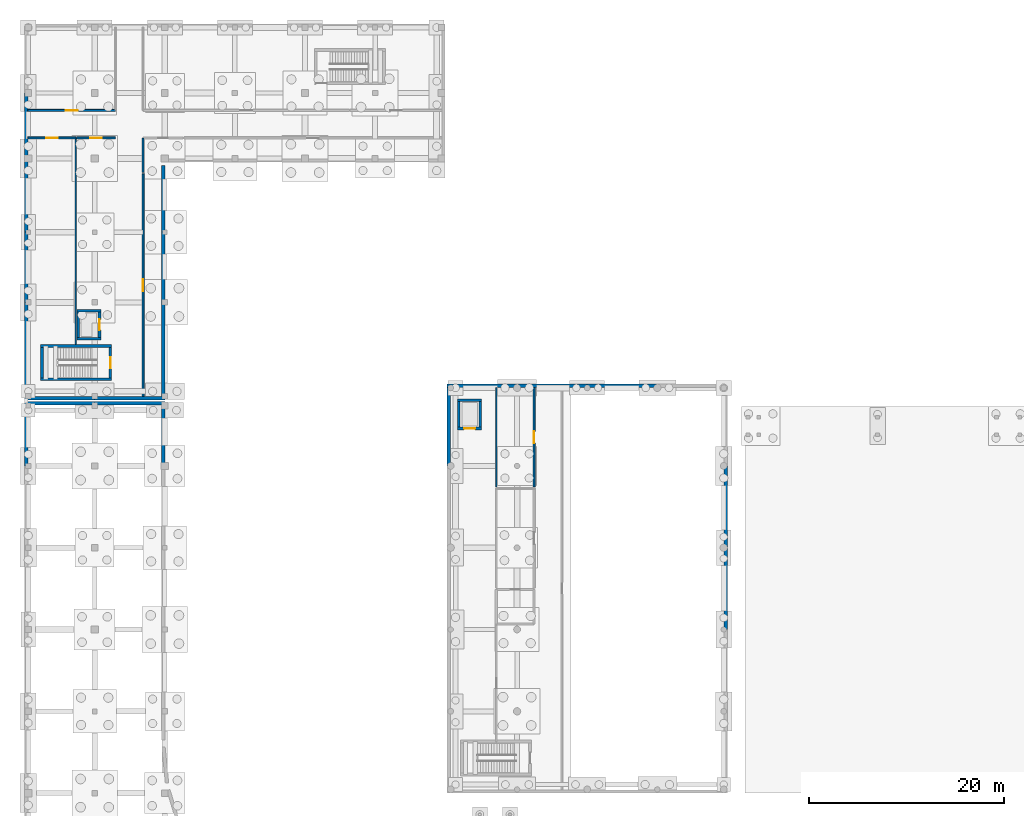
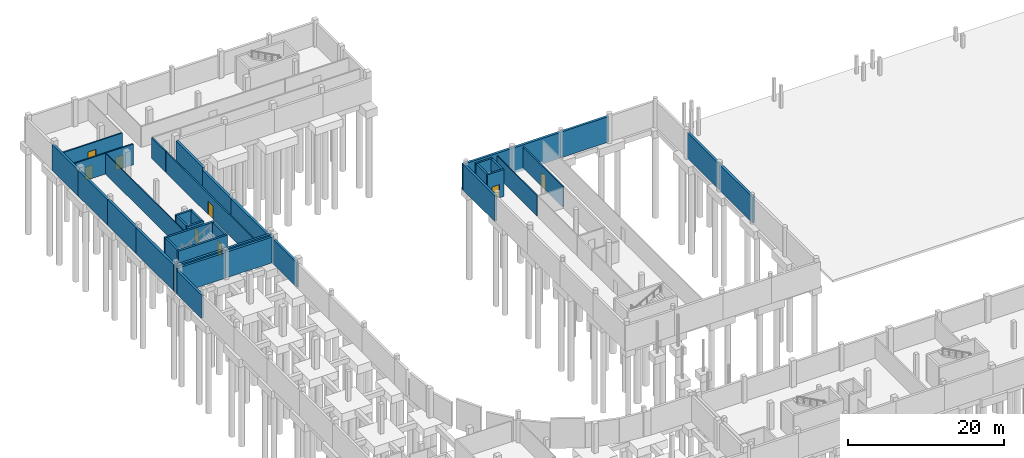
# One storey, part 28 of 41: 39 walls, 8 doors, 8 openings.
"""IFC4 building model written with IfcOpenShell, lengths in metres."""

from ifc_helpers import new_model, si_unit, direction, frame, frame_2d, origin, place, context, subcontext, project, spatial, rectangle, extrude, material, layer, layer_set, type_object, element, fill, save


model = new_model("IFC4")

# Units and contexts
model_context = context("Model", 3, precision=1e-05, world=origin(), true_north=direction((0.0, 1.0)))
body_context = subcontext(model_context, "Body", "Model", "MODEL_VIEW")
ifc_project = project(units=[si_unit("LENGTHUNIT", "METRE"), si_unit("AREAUNIT", "SQUARE_METRE"), si_unit("VOLUMEUNIT", "CUBIC_METRE"), si_unit("PLANEANGLEUNIT", "RADIAN"), si_unit("MASSUNIT", "GRAM", prefix="KILO")], contexts=[model_context])

# Site, building, storey
site_placement = place(None, origin())
site = spatial("IfcSite", under=ifc_project, at=site_placement, CompositionType="ELEMENT")
building_placement = place(site_placement, origin())
building = spatial("IfcBuilding", under=site, at=building_placement, Name="Vardoun Plaza Health Centre", CompositionType="ELEMENT")
storey_placement = place(building_placement, frame((0.0, 0.0, -4.5)))
storey = spatial("IfcBuildingStorey", under=building, at=storey_placement, Name="B1", CompositionType="ELEMENT", Elevation=-4.5)

# Walls
ifc_material_1 = material(Name="Concrete C40/50", Category="concrete")
ifc_layer_1 = layer(ifc_material_1, 0.27001953125)
ifc_layer_set_1 = layer_set([ifc_layer_1], Name="Concrete C40/50")
wall_type_1 = type_object("IfcWallType", Name="SW-03", PredefinedType="SHEAR", material=ifc_layer_set_1)
wall_1_placement = place(storey_placement, frame((12.3349609375, 82.949951171875, 0.0), z_axis=(0.0, 0.0, 1.0), x_axis=(-1.0, 0.0, 0.0)))
element("IfcWall", 1, at=wall_1_placement, inside=storey, type_object=wall_type_1, Name="Lift LP-01 B1 Shaft Wall S", PredefinedType="SHEAR", context=body_context, shape_type="SweptSolid", body=[
    extrude(rectangle(XDim=2.469970703125, YDim=0.27001953125, at=frame_2d((1.23486328125, 0.0))), origin(), (0.0, 0.0, 1.0), 4.235107421875),
])
wall_2_placement = place(storey_placement, frame((10.0, 83.0849609375, 0.0), z_axis=(0.0, 0.0, 1.0), x_axis=(0.0, 1.0, 0.0)))
element("IfcWall", 2, at=wall_2_placement, inside=storey, type_object=wall_type_1, Name="Lift LP-01 B1 Shaft Wall W", PredefinedType="SHEAR", context=body_context, shape_type="SweptSolid", body=[
    extrude(rectangle(XDim=2.630126953125, YDim=0.27001953125, at=frame_2d((1.31494140625, 0.0))), origin(), (0.0, 0.0, 1.0), 4.235107421875),
])
wall_3_placement = place(storey_placement, frame((9.864990234375, 85.85009765625, 0.0), z_axis=(0.0, 0.0, 1.0), x_axis=(1.0, 0.0, 0.0)))
element("IfcWall", 3, at=wall_3_placement, inside=storey, type_object=wall_type_1, Name="Lift LP-01 B1 Shaft Wall N", PredefinedType="SHEAR", context=body_context, shape_type="SweptSolid", body=[
    extrude(rectangle(XDim=2.469970703125, YDim=0.27001953125, at=frame_2d((1.23486328125, 0.0))), origin(), (0.0, 0.0, 1.0), 4.235107421875),
])

# Wall, opening, door
wall_4_placement = place(storey_placement, frame((12.199951171875, 85.715087890625, 0.0), z_axis=(0.0, 0.0, 1.0), x_axis=(0.0, -1.0, 0.0)))
wall_4 = element("IfcWall", 4, at=wall_4_placement, inside=storey, type_object=wall_type_1, Name="Lift LP-01 B1 Shaft Wall E", PredefinedType="SHEAR", context=body_context, shape_type="SweptSolid", body=[
    extrude(rectangle(XDim=2.630126953125, YDim=0.27001953125, at=frame_2d((1.31494140625, 0.0))), origin(), (0.0, 0.0, 1.0), 4.235107421875),
])
opening_1_placement = place(wall_4_placement, frame((0.7548828125, 0.0, 0.0)))
opening_1 = element("IfcOpeningElement", 5, at=opening_1_placement, cuts=wall_4, Name="Opening LD-LP-01-B1", PredefinedType="OPENING", context=body_context, shape_type="SweptSolid", body=[
    extrude(rectangle(XDim=1.1201171875, YDim=2.10009765625, at=frame_2d((0.56005859375, 1.050048828125))), frame((0.0, 0.135009765625, 0.0), z_axis=(0.0, -1.0, 0.0), x_axis=(1.0, 0.0, 0.0)), (0.0, 0.0, 1.0), 0.27001953125),
])
ifc_material_2 = material(Name="Brushed Stainless Steel Grade 316L", Category="steel")
door_type_1 = type_object("IfcDoorType", Name="LD-01", OperationType="DOUBLE_DOOR_SLIDING", PredefinedType="DOOR", material=ifc_material_2)
door_1_placement = place(opening_1_placement, origin())
door_1 = element("IfcDoor", 6, at=door_1_placement, inside=storey, type_object=door_type_1, Name="Lift LP-01 B1 Sliding Landing Door", OperationType="DOUBLE_DOOR_SLIDING", OverallHeight=2.10009765625, OverallWidth=1.1201171875, PredefinedType="DOOR", context=body_context, shape_type="SweptSolid", body=[
    extrude(rectangle(XDim=1.1201171875, YDim=2.10009765625, at=frame_2d((0.56005859375, 1.050048828125))), frame((0.0, 0.02490234375, 0.0), z_axis=(0.0, -1.0, 0.0), x_axis=(1.0, 0.0, 0.0)), (0.0, 0.0, 1.0), 0.050048828125),
])
fill(opening_1, door_1)

wall_5_placement = place(storey_placement, frame((51.43505859375, 73.75, 0.0), z_axis=(0.0, 0.0, 1.0), x_axis=(-1.0, 0.0, 0.0)))
wall_5 = element("IfcWall", 7, at=wall_5_placement, inside=storey, type_object=wall_type_1, Name="Lift LP-02 B1 Shaft Wall S", PredefinedType="SHEAR", context=body_context, shape_type="SweptSolid", body=[
    extrude(rectangle(XDim=2.469970703125, YDim=0.27001953125, at=frame_2d((1.23486328125, 0.0))), origin(), (0.0, 0.0, 1.0), 4.219970703125),
])
opening_2_placement = place(wall_5_placement, frame((0.675048828125, 0.0, 0.0)))
opening_2 = element("IfcOpeningElement", 8, at=opening_2_placement, cuts=wall_5, Name="Opening LD-LP-02-B1", PredefinedType="OPENING", context=body_context, shape_type="SweptSolid", body=[
    extrude(rectangle(XDim=1.1201171875, YDim=2.10009765625, at=frame_2d((0.56005859375, 1.050048828125))), frame((0.0, 0.135009765625, 0.0), z_axis=(0.0, -1.0, 0.0), x_axis=(1.0, 0.0, 0.0)), (0.0, 0.0, 1.0), 0.27001953125),
])
door_2_placement = place(opening_2_placement, origin())
door_2 = element("IfcDoor", 9, at=door_2_placement, inside=storey, type_object=door_type_1, Name="Lift LP-02 B1 Sliding Landing Door", OperationType="DOUBLE_DOOR_SLIDING", OverallHeight=2.10009765625, OverallWidth=1.1201171875, PredefinedType="DOOR", context=body_context, shape_type="SweptSolid", body=[
    extrude(rectangle(XDim=1.1201171875, YDim=2.10009765625, at=frame_2d((0.56005859375, 1.050048828125))), frame((0.0, 0.02490234375, 0.0), z_axis=(0.0, -1.0, 0.0), x_axis=(1.0, 0.0, 0.0)), (0.0, 0.0, 1.0), 0.050048828125),
])
fill(opening_2, door_2)

# Walls
wall_6_placement = place(storey_placement, frame((49.10009765625, 73.885009765625, 0.0), z_axis=(0.0, 0.0, 1.0), x_axis=(0.0, 1.0, 0.0)))
element("IfcWall", 10, at=wall_6_placement, inside=storey, type_object=wall_type_1, Name="Lift LP-02 B1 Shaft Wall W", PredefinedType="SHEAR", context=body_context, shape_type="SweptSolid", body=[
    extrude(rectangle(XDim=2.6298828125, YDim=0.27001953125, at=frame_2d((1.31494140625, 0.0))), origin(), (0.0, 0.0, 1.0), 4.219970703125),
])
wall_7_placement = place(storey_placement, frame((48.965087890625, 76.64990234375, 0.0), z_axis=(0.0, 0.0, 1.0), x_axis=(1.0, 0.0, 0.0)))
element("IfcWall", 11, at=wall_7_placement, inside=storey, type_object=wall_type_1, Name="Lift LP-02 B1 Shaft Wall N", PredefinedType="SHEAR", context=body_context, shape_type="SweptSolid", body=[
    extrude(rectangle(XDim=2.469970703125, YDim=0.27001953125, at=frame_2d((1.23486328125, 0.0))), origin(), (0.0, 0.0, 1.0), 4.219970703125),
])
wall_8_placement = place(storey_placement, frame((51.300048828125, 76.514892578125, 0.0), z_axis=(0.0, 0.0, 1.0), x_axis=(0.0, -1.0, 0.0)))
element("IfcWall", 12, at=wall_8_placement, inside=storey, type_object=wall_type_1, Name="Lift LP-02 B1 Shaft Wall E", PredefinedType="SHEAR", context=body_context, shape_type="SweptSolid", body=[
    extrude(rectangle(XDim=2.6298828125, YDim=0.27001953125, at=frame_2d((1.31494140625, 0.0))), origin(), (0.0, 0.0, 1.0), 4.219970703125),
])
ifc_material_3 = material(Name="Concrete C40/50", Category="concrete")
ifc_layer_2 = layer(ifc_material_3, 0.300048828125)
ifc_layer_set_2 = layer_set([ifc_layer_2], Name="Concrete C40/50")
wall_type_2 = type_object("IfcWallType", Name="SW-01", PredefinedType="SHEAR", material=ifc_layer_set_2)
wall_9_placement = place(storey_placement, frame((13.449951171875, 78.800048828125, 0.0), z_axis=(0.0, 0.0, 1.0), x_axis=(-1.0, 0.0, 0.0)))
element("IfcWall", 13, at=wall_9_placement, inside=storey, type_object=wall_type_2, Name="Core C3 B1 Shear Wall S", PredefinedType="SHEAR", context=body_context, shape_type="SweptSolid", body=[
    extrude(rectangle(XDim=7.300048828125, YDim=0.300048828125, at=frame_2d((3.64990234375, 0.0))), origin(), (0.0, 0.0, 1.0), 4.235107421875),
])
wall_10_placement = place(storey_placement, frame((6.300048828125, 78.949951171875, 0.0), z_axis=(0.0, 0.0, 1.0), x_axis=(0.0, 1.0, 0.0)))
element("IfcWall", 14, at=wall_10_placement, inside=storey, type_object=wall_type_2, Name="Core C3 B1 Shear Wall W", PredefinedType="SHEAR", context=body_context, shape_type="SweptSolid", body=[
    extrude(rectangle(XDim=3.10009765625, YDim=0.300048828125, at=frame_2d((1.550048828125, 0.0))), origin(), (0.0, 0.0, 1.0), 4.235107421875),
])
wall_11_placement = place(storey_placement, frame((6.14990234375, 82.199951171875, 0.0), z_axis=(0.0, 0.0, 1.0), x_axis=(1.0, 0.0, 0.0)))
element("IfcWall", 15, at=wall_11_placement, inside=storey, type_object=wall_type_2, Name="Core C3 B1 Shear Wall N", PredefinedType="SHEAR", context=body_context, shape_type="SweptSolid", body=[
    extrude(rectangle(XDim=7.300048828125, YDim=0.300048828125, at=frame_2d((3.64990234375, 0.0))), origin(), (0.0, 0.0, 1.0), 4.235107421875),
])

# Wall, opening, door
wall_12_placement = place(storey_placement, frame((13.300048828125, 82.050048828125, 0.0), z_axis=(0.0, 0.0, 1.0), x_axis=(0.0, -1.0, 0.0)))
wall_12 = element("IfcWall", 16, at=wall_12_placement, inside=storey, type_object=wall_type_2, Name="Core C3 B1 Shear Wall E", PredefinedType="SHEAR", context=body_context, shape_type="SweptSolid", body=[
    extrude(rectangle(XDim=3.10009765625, YDim=0.300048828125, at=frame_2d((1.550048828125, 0.0))), origin(), (0.0, 0.0, 1.0), 4.235107421875),
])
opening_3_placement = place(wall_12_placement, frame((1.0, 0.0, 0.0)))
opening_3 = element("IfcOpeningElement", 17, at=opening_3_placement, cuts=wall_12, Name="Opening SD-C3-B1", PredefinedType="OPENING", context=body_context, shape_type="SweptSolid", body=[
    extrude(rectangle(XDim=1.10009765625, YDim=2.050048828125, at=frame_2d((0.550048828125, 1.02490234375))), frame((0.0, 0.14990234375, 0.0), z_axis=(0.0, -1.0, 0.0), x_axis=(1.0, 0.0, 0.0)), (0.0, 0.0, 1.0), 0.300048828125),
])
ifc_material_4 = material(Name="Brushed Stainless Steel Grade 316L", Category="steel")
door_type_2 = type_object("IfcDoorType", Name="FD-01", OperationType="NOTDEFINED", PredefinedType="DOOR", material=ifc_material_4)
door_3_placement = place(opening_3_placement, origin())
door_3 = element("IfcDoor", 18, at=door_3_placement, inside=storey, type_object=door_type_2, Name="Stair C3 B1 Fire Door", OperationType="SINGLE_SWING_RIGHT", OverallHeight=2.050048828125, OverallWidth=1.10009765625, PredefinedType="DOOR", context=body_context, shape_type="SweptSolid", body=[
    extrude(rectangle(XDim=1.10009765625, YDim=2.050048828125, at=frame_2d((0.550048828125, 1.02490234375))), frame((0.0, 0.02490234375, 0.0), z_axis=(0.0, -1.0, 0.0), x_axis=(1.0, 0.0, 0.0)), (0.0, 0.0, 1.0), 0.050048828125),
])
fill(opening_3, door_3)

# Walls
ifc_material_5 = material(Name="Pale Limestone Concrete C35/45", Category="masonry")
ifc_layer_3 = layer(ifc_material_5, 0.344970703125)
ifc_layer_set_3 = layer_set([ifc_layer_3], Name="Pale Limestone Concrete C35/45")
wall_type_3 = type_object("IfcWallType", Name="EW-01", PredefinedType="SOLIDWALL", material=ifc_layer_set_3)
wall_13_placement = place(storey_placement, frame((47.8798828125, 78.12744140625, -0.419921875), z_axis=(0.0, 0.0, 1.0), x_axis=(1.0, 0.0, 0.0)))
element("IfcWall", 19, at=wall_13_placement, inside=storey, type_object=wall_type_3, Name="V1 B1 Exterior Wall EW-V1-001", PredefinedType="SOLIDWALL", context=body_context, shape_type="SweptSolid", body=[
    extrude(rectangle(XDim=7.2001953125, YDim=0.344970703125, at=frame_2d((3.60009765625, 0.0))), origin(), (0.0, 0.0, 1.0), 4.02490234375),
])
for number, where, z_axis, x_axis, name in (
    (20, (55.080078125, 78.12744140625, -0.419921875), (0.0, 0.0, 1.0), (1.0, 0.0, 0.0), "V1 B1 Exterior Wall EW-V1-002"),
    (21, (62.280029296875, 78.12744140625, -0.419921875), (0.0, 0.0, 1.0), (1.0, 0.0, 0.0), "V1 B1 Exterior Wall EW-V1-003"),
):
    element("IfcWall", number, at=place(storey_placement, frame(where, z_axis=z_axis, x_axis=x_axis)), inside=storey, type_object=wall_type_3, Name=name, PredefinedType="SOLIDWALL", context=body_context, shape_type="SweptSolid", body=[
        extrude(rectangle(XDim=7.199951171875, YDim=0.344970703125, at=frame_2d((3.60009765625, 0.0))), origin(), (0.0, 0.0, 1.0), 4.0048828125),
    ])
for number, where, z_axis, x_axis, name in (
    (22, (76.507568359375, 69.89990234375, -0.419921875), (0.0, 0.0, 1.0), (0.0, -1.0, 0.0), "V1 B1 Exterior Wall EW-V1-006"),
    (23, (76.507568359375, 61.5, -0.419921875), (0.0, 0.0, 1.0), (0.0, -1.0, 0.0), "V1 B1 Exterior Wall EW-V1-007"),
):
    element("IfcWall", number, at=place(storey_placement, frame(where, z_axis=z_axis, x_axis=x_axis)), inside=storey, type_object=wall_type_3, Name=name, PredefinedType="SOLIDWALL", context=body_context, shape_type="SweptSolid", body=[
        extrude(rectangle(XDim=8.39990234375, YDim=0.344970703125, at=frame_2d((4.199951171875, 0.0))), origin(), (0.0, 0.0, 1.0), 4.0048828125),
    ])
wall_14_placement = place(storey_placement, frame((48.052490234375, 69.89990234375, -0.419921875), z_axis=(0.0, 0.0, 1.0), x_axis=(0.0, 1.0, 0.0)))
element("IfcWall", 24, at=wall_14_placement, inside=storey, type_object=wall_type_3, Name="V1 B1 Exterior Wall EW-V1-018", PredefinedType="SOLIDWALL", context=body_context, shape_type="SweptSolid", body=[
    extrude(rectangle(XDim=8.05517578125, YDim=0.344970703125, at=frame_2d((4.027587890625, 0.0))), origin(), (0.0, 0.0, 1.0), 4.02490234375),
])
for number, where, z_axis, x_axis, name in (
    (25, (4.5, 76.327392578125, -0.419921875), (0.0, 0.0, 1.0), (1.0, 0.0, 0.0), "V2 B1 Exterior Wall EW-V2-039"),
    (26, (11.699951171875, 76.327392578125, -0.419921875), (0.0, 0.0, 1.0), (1.0, 0.0, 0.0), "V2 B1 Exterior Wall EW-V2-040"),
):
    element("IfcWall", number, at=place(storey_placement, frame(where, z_axis=z_axis, x_axis=x_axis)), inside=storey, type_object=wall_type_3, Name=name, PredefinedType="SOLIDWALL", context=body_context, shape_type="SweptSolid", body=[
        extrude(rectangle(XDim=7.199951171875, YDim=0.344970703125, at=frame_2d((3.60009765625, 0.0))), origin(), (0.0, 0.0, 1.0), 4.02490234375),
    ])
wall_15_placement = place(storey_placement, frame((18.7275390625, 76.155029296875, -0.419921875), z_axis=(0.0, 0.0, 1.0), x_axis=(0.0, -1.0, 0.0)))
element("IfcWall", 27, at=wall_15_placement, inside=storey, type_object=wall_type_3, Name="V2 B1 Exterior Wall EW-V2-041", PredefinedType="SOLIDWALL", context=body_context, shape_type="SweptSolid", body=[
    extrude(rectangle(XDim=6.255126953125, YDim=0.344970703125, at=frame_2d((3.12744140625, 0.0))), origin(), (0.0, 0.0, 1.0), 3.824951171875),
])
wall_16_placement = place(storey_placement, frame((4.672607421875, 69.89990234375, -0.419921875), z_axis=(0.0, 0.0, 1.0), x_axis=(0.0, 1.0, 0.0)))
element("IfcWall", 28, at=wall_16_placement, inside=storey, type_object=wall_type_3, Name="V2 B1 Exterior Wall EW-V2-071", PredefinedType="SOLIDWALL", context=body_context, shape_type="SweptSolid", body=[
    extrude(rectangle(XDim=6.255126953125, YDim=0.344970703125, at=frame_2d((3.12744140625, 0.0))), origin(), (0.0, 0.0, 1.0), 3.6748046875),
])
wall_17_placement = place(storey_placement, frame((18.7275390625, 100.7548828125, -0.419921875), z_axis=(0.0, 0.0, 1.0), x_axis=(0.0, -1.0, 0.0)))
element("IfcWall", 29, at=wall_17_placement, inside=storey, type_object=wall_type_3, Name="V3 B1 Exterior Wall EW-V3-234", PredefinedType="SOLIDWALL", context=body_context, shape_type="SweptSolid", body=[
    extrude(rectangle(XDim=6.85498046875, YDim=0.344970703125, at=frame_2d((3.427490234375, 0.0))), origin(), (0.0, 0.0, 1.0), 4.159912109375),
])
wall_18_placement = place(storey_placement, frame((18.7275390625, 93.89990234375, -0.419921875), z_axis=(0.0, 0.0, 1.0), x_axis=(0.0, -1.0, 0.0)))
element("IfcWall", 30, at=wall_18_placement, inside=storey, type_object=wall_type_3, Name="V3 B1 Exterior Wall EW-V3-235", PredefinedType="SOLIDWALL", context=body_context, shape_type="SweptSolid", body=[
    extrude(rectangle(XDim=7.199951171875, YDim=0.344970703125, at=frame_2d((3.60009765625, 0.0))), origin(), (0.0, 0.0, 1.0), 3.68994140625),
])
wall_19_placement = place(storey_placement, frame((18.7275390625, 86.699951171875, -0.419921875), z_axis=(0.0, 0.0, 1.0), x_axis=(0.0, -1.0, 0.0)))
element("IfcWall", 31, at=wall_19_placement, inside=storey, type_object=wall_type_3, Name="V3 B1 Exterior Wall EW-V3-236", PredefinedType="SOLIDWALL", context=body_context, shape_type="SweptSolid", body=[
    extrude(rectangle(XDim=9.675048828125, YDim=0.344970703125, at=frame_2d((4.83740234375, 0.0))), origin(), (0.0, 0.0, 1.0), 3.68994140625),
])
for number, where, z_axis, x_axis, name in (
    (32, (18.89990234375, 76.8525390625, -0.419921875), (0.0, 0.0, 1.0), (-1.0, 0.0, 0.0), "V3 B1 Exterior Wall EW-V3-237"),
    (33, (11.699951171875, 76.8525390625, -0.419921875), (0.0, 0.0, 1.0), (-1.0, 0.0, 0.0), "V3 B1 Exterior Wall EW-V3-238"),
):
    element("IfcWall", number, at=place(storey_placement, frame(where, z_axis=z_axis, x_axis=x_axis)), inside=storey, type_object=wall_type_3, Name=name, PredefinedType="SOLIDWALL", context=body_context, shape_type="SweptSolid", body=[
        extrude(rectangle(XDim=7.199951171875, YDim=0.344970703125, at=frame_2d((3.60009765625, 0.0))), origin(), (0.0, 0.0, 1.0), 4.08984375),
    ])
wall_20_placement = place(storey_placement, frame((4.672607421875, 77.02490234375, -0.419921875), z_axis=(0.0, 0.0, 1.0), x_axis=(0.0, 1.0, 0.0)))
element("IfcWall", 34, at=wall_20_placement, inside=storey, type_object=wall_type_3, Name="V3 B1 Exterior Wall EW-V3-239", PredefinedType="SOLIDWALL", context=body_context, shape_type="SweptSolid", body=[
    extrude(rectangle(XDim=9.675048828125, YDim=0.344970703125, at=frame_2d((4.83740234375, 0.0))), origin(), (0.0, 0.0, 1.0), 4.059814453125),
])
wall_21_placement = place(storey_placement, frame((4.672607421875, 86.699951171875, -0.419921875), z_axis=(0.0, 0.0, 1.0), x_axis=(0.0, 1.0, 0.0)))
element("IfcWall", 35, at=wall_21_placement, inside=storey, type_object=wall_type_3, Name="V3 B1 Exterior Wall EW-V3-240", PredefinedType="SOLIDWALL", context=body_context, shape_type="SweptSolid", body=[
    extrude(rectangle(XDim=7.199951171875, YDim=0.344970703125, at=frame_2d((3.60009765625, 0.0))), origin(), (0.0, 0.0, 1.0), 4.059814453125),
])
wall_22_placement = place(storey_placement, frame((4.672607421875, 93.89990234375, -0.419921875), z_axis=(0.0, 0.0, 1.0), x_axis=(0.0, 1.0, 0.0)))
element("IfcWall", 36, at=wall_22_placement, inside=storey, type_object=wall_type_3, Name="V3 B1 Exterior Wall EW-V3-241", PredefinedType="SOLIDWALL", context=body_context, shape_type="SweptSolid", body=[
    extrude(rectangle(XDim=7.580078125, YDim=0.344970703125, at=frame_2d((3.7900390625, 0.0))), origin(), (0.0, 0.0, 1.0), 4.02001953125),
])
wall_23_placement = place(storey_placement, frame((4.672607421875, 101.47998046875, -0.419921875), z_axis=(0.0, 0.0, 1.0), x_axis=(0.0, 1.0, 0.0)))
element("IfcWall", 37, at=wall_23_placement, inside=storey, type_object=wall_type_3, Name="V3 B1 Exterior Wall EW-V3-242", PredefinedType="SOLIDWALL", context=body_context, shape_type="SweptSolid", body=[
    extrude(rectangle(XDim=6.719970703125, YDim=0.344970703125, at=frame_2d((3.35986328125, 0.0))), origin(), (0.0, 0.0, 1.0), 4.02001953125),
])
ifc_material_6 = material(Name="Standard Clinical Sub-Partition", Category="steel")
ifc_layer_4 = layer(ifc_material_6, 0.125)
ifc_layer_set_4 = layer_set([ifc_layer_4], Name="Standard Clinical Sub-Partition")
wall_type_4 = type_object("IfcWallType", Name="IW-11", PredefinedType="PARTITIONING", material=ifc_layer_set_4)
wall_24_placement = place(storey_placement, frame((52.93994140625, 67.7451171875, 0.0), z_axis=(0.0, 0.0, 1.0), x_axis=(0.0, 1.0, 0.0)))
element("IfcWall", 38, at=wall_24_placement, inside=storey, type_object=wall_type_4, Name="Concourse AHU Plant Room Enclosure Partition", PredefinedType="PARTITIONING", context=body_context, shape_type="SweptSolid", body=[
    extrude(rectangle(XDim=10.204833984375, YDim=0.125, at=frame_2d((5.1025390625, 0.0))), origin(), (0.0, 0.0, 1.0), 3.239990234375),
])
wall_25_placement = place(storey_placement, frame((9.760009765625, 103.580078125, 0.0), z_axis=(0.0, 0.0, 1.0), x_axis=(0.0, -1.0, 0.0)))
element("IfcWall", 39, at=wall_25_placement, inside=storey, type_object=wall_type_4, Name="Medical Gas Manifold Plant Enclosure Partition", PredefinedType="PARTITIONING", context=body_context, shape_type="SweptSolid", body=[
    extrude(rectangle(XDim=21.380126953125, YDim=0.125, at=frame_2d((10.68994140625, 0.0))), origin(), (0.0, 0.0, 1.0), 3.2548828125),
])

# Wall, opening, door
ifc_material_7 = material(Name="Concrete C35/45", Category="concrete")
ifc_layer_5 = layer(ifc_material_7, 0.199951171875)
ifc_layer_set_5 = layer_set([ifc_layer_5], Name="Concrete C35/45")
wall_type_5 = type_object("IfcWallType", Name="IW-01", PredefinedType="SOLIDWALL", material=ifc_layer_set_5)
wall_26_placement = place(storey_placement, frame((56.830078125, 77.949951171875, 0.0), z_axis=(0.0, 0.0, 1.0), x_axis=(0.0, -1.0, 0.0)))
wall_26 = element("IfcWall", 40, at=wall_26_placement, inside=storey, type_object=wall_type_5, Name="Concourse AHU Plant Room Partition Wall", PredefinedType="SOLIDWALL", context=body_context, shape_type="SweptSolid", body=[
    extrude(rectangle(XDim=10.204833984375, YDim=0.199951171875, at=frame_2d((5.1025390625, 0.0))), origin(), (0.0, 0.0, 1.0), 3.239990234375),
])
opening_4_placement = place(wall_26_placement, frame((4.50244140625, 0.0, 0.0)))
opening_4 = element("IfcOpeningElement", 41, at=opening_4_placement, cuts=wall_26, Name="Opening D-B1-004", PredefinedType="OPENING", context=body_context, shape_type="SweptSolid", body=[
    extrude(rectangle(XDim=1.199951171875, YDim=2.050048828125, at=frame_2d((0.60009765625, 1.02490234375))), frame((0.0, 0.10009765625, 0.0), z_axis=(0.0, -1.0, 0.0), x_axis=(1.0, 0.0, 0.0)), (0.0, 0.0, 1.0), 0.199951171875),
])
ifc_material_8 = material(Name="Antimicrobial Acoustic Timber and Steel S275JR", Category="steel")
door_type_3 = type_object("IfcDoorType", Name="FD-04", OperationType="NOTDEFINED", PredefinedType="DOOR", material=ifc_material_8)
door_4_placement = place(opening_4_placement, origin())
door_4 = element("IfcDoor", 42, at=door_4_placement, inside=storey, type_object=door_type_3, Name="Concourse AHU Plant Room Door D-B1-004", OperationType="SINGLE_SWING_RIGHT", OverallHeight=2.050048828125, OverallWidth=1.199951171875, PredefinedType="DOOR", context=body_context, shape_type="SweptSolid", body=[
    extrude(rectangle(XDim=1.199951171875, YDim=2.050048828125, at=frame_2d((0.60009765625, 1.02490234375))), frame((0.0, 0.02490234375, 0.0), z_axis=(0.0, -1.0, 0.0), x_axis=(1.0, 0.0, 0.0)), (0.0, 0.0, 1.0), 0.050048828125),
])
fill(opening_4, door_4)

wall_27_placement = place(storey_placement, frame((4.85009765625, 103.580078125, 0.0), z_axis=(0.0, 0.0, 1.0), x_axis=(1.0, 0.0, 0.0)))
wall_27 = element("IfcWall", 43, at=wall_27_placement, inside=storey, type_object=wall_type_5, Name="Medical Gas Manifold Plant Partition Wall", PredefinedType="SOLIDWALL", context=body_context, shape_type="SweptSolid", body=[
    extrude(rectangle(XDim=4.909912109375, YDim=0.199951171875, at=frame_2d((2.455078125, 0.0))), origin(), (0.0, 0.0, 1.0), 3.2548828125),
])
opening_5_placement = place(wall_27_placement, frame((1.85498046875, 0.0, 0.0)))
opening_5 = element("IfcOpeningElement", 44, at=opening_5_placement, cuts=wall_27, Name="Opening D-B1-073", PredefinedType="OPENING", context=body_context, shape_type="SweptSolid", body=[
    extrude(rectangle(XDim=1.199951171875, YDim=2.050048828125, at=frame_2d((0.60009765625, 1.02490234375))), frame((0.0, 0.10009765625, 0.0), z_axis=(0.0, -1.0, 0.0), x_axis=(1.0, 0.0, 0.0)), (0.0, 0.0, 1.0), 0.199951171875),
])
door_5_placement = place(opening_5_placement, origin())
door_5 = element("IfcDoor", 45, at=door_5_placement, inside=storey, type_object=door_type_3, Name="Medical Gas Manifold Plant Door D-B1-073", OperationType="SINGLE_SWING_LEFT", OverallHeight=2.050048828125, OverallWidth=1.199951171875, PredefinedType="DOOR", context=body_context, shape_type="SweptSolid", body=[
    extrude(rectangle(XDim=1.199951171875, YDim=2.050048828125, at=frame_2d((0.60009765625, 1.02490234375))), frame((0.0, 0.02490234375, 0.0), z_axis=(0.0, -1.0, 0.0), x_axis=(1.0, 0.0, 0.0)), (0.0, 0.0, 1.0), 0.050048828125),
])
fill(opening_5, door_5)

wall_28_placement = place(storey_placement, frame((9.840087890625, 103.580078125, 0.0), z_axis=(0.0, 0.0, 1.0), x_axis=(1.0, 0.0, 0.0)))
wall_28 = element("IfcWall", 46, at=wall_28_placement, inside=storey, type_object=wall_type_5, Name="Clinical Archive Store Partition Wall", PredefinedType="SOLIDWALL", context=body_context, shape_type="SweptSolid", body=[
    extrude(rectangle(XDim=3.989990234375, YDim=0.199951171875, at=frame_2d((1.9951171875, 0.0))), origin(), (0.0, 0.0, 1.0), 3.2548828125),
])
opening_6_placement = place(wall_28_placement, frame((1.39501953125, 0.0, 0.0)))
opening_6 = element("IfcOpeningElement", 47, at=opening_6_placement, cuts=wall_28, Name="Opening D-B1-074", PredefinedType="OPENING", context=body_context, shape_type="SweptSolid", body=[
    extrude(rectangle(XDim=1.199951171875, YDim=2.050048828125, at=frame_2d((0.60009765625, 1.02490234375))), frame((0.0, 0.10009765625, 0.0), z_axis=(0.0, -1.0, 0.0), x_axis=(1.0, 0.0, 0.0)), (0.0, 0.0, 1.0), 0.199951171875),
])
door_6_placement = place(opening_6_placement, origin())
door_6 = element("IfcDoor", 48, at=door_6_placement, inside=storey, type_object=door_type_3, Name="Clinical Archive Store Door D-B1-074", OperationType="SINGLE_SWING_RIGHT", OverallHeight=2.050048828125, OverallWidth=1.199951171875, PredefinedType="DOOR", context=body_context, shape_type="SweptSolid", body=[
    extrude(rectangle(XDim=1.199951171875, YDim=2.050048828125, at=frame_2d((0.60009765625, 1.02490234375))), frame((0.0, 0.02490234375, 0.0), z_axis=(0.0, -1.0, 0.0), x_axis=(1.0, 0.0, 0.0)), (0.0, 0.0, 1.0), 0.050048828125),
])
fill(opening_6, door_6)

wall_29_placement = place(storey_placement, frame((13.830078125, 106.419921875, 0.0), z_axis=(0.0, 0.0, 1.0), x_axis=(-1.0, 0.0, 0.0)))
wall_29 = element("IfcWall", 49, at=wall_29_placement, inside=storey, type_object=wall_type_5, Name="Biomedical Engineering Workshop A Partition Wall", PredefinedType="SOLIDWALL", context=body_context, shape_type="SweptSolid", body=[
    extrude(rectangle(XDim=8.97998046875, YDim=0.199951171875, at=frame_2d((4.489990234375, 0.0))), origin(), (0.0, 0.0, 1.0), 3.2548828125),
])
opening_7_placement = place(wall_29_placement, frame((3.889892578125, 0.0, 0.0)))
opening_7 = element("IfcOpeningElement", 50, at=opening_7_placement, cuts=wall_29, Name="Opening D-B1-075", PredefinedType="OPENING", context=body_context, shape_type="SweptSolid", body=[
    extrude(rectangle(XDim=1.199951171875, YDim=2.050048828125, at=frame_2d((0.60009765625, 1.02490234375))), frame((0.0, 0.10009765625, 0.0), z_axis=(0.0, -1.0, 0.0), x_axis=(1.0, 0.0, 0.0)), (0.0, 0.0, 1.0), 0.199951171875),
])
door_7_placement = place(opening_7_placement, origin())
door_7 = element("IfcDoor", 51, at=door_7_placement, inside=storey, type_object=door_type_3, Name="Biomedical Engineering Workshop A Door D-B1-075", OperationType="SINGLE_SWING_LEFT", OverallHeight=2.050048828125, OverallWidth=1.199951171875, PredefinedType="DOOR", context=body_context, shape_type="SweptSolid", body=[
    extrude(rectangle(XDim=1.199951171875, YDim=2.050048828125, at=frame_2d((0.60009765625, 1.02490234375))), frame((0.0, 0.02490234375, 0.0), z_axis=(0.0, -1.0, 0.0), x_axis=(1.0, 0.0, 0.0)), (0.0, 0.0, 1.0), 0.050048828125),
])
fill(opening_7, door_7)

wall_30_placement = place(storey_placement, frame((16.669921875, 77.030029296875, 0.0), z_axis=(0.0, 0.0, 1.0), x_axis=(0.0, 1.0, 0.0)))
wall_30 = element("IfcWall", 52, at=wall_30_placement, inside=storey, type_object=wall_type_5, Name="Biomedical Engineering Workshop Partition Wall", PredefinedType="SOLIDWALL", context=body_context, shape_type="SweptSolid", body=[
    extrude(rectangle(XDim=22.859130859375, YDim=0.199951171875, at=frame_2d((11.4296875, 0.0))), origin(), (0.0, 0.0, 1.0), 3.2548828125),
])
opening_8_placement = place(wall_30_placement, frame((10.82958984375, 0.0, 0.0)))
opening_8 = element("IfcOpeningElement", 53, at=opening_8_placement, cuts=wall_30, Name="Opening D-B1-078", PredefinedType="OPENING", context=body_context, shape_type="SweptSolid", body=[
    extrude(rectangle(XDim=1.199951171875, YDim=2.050048828125, at=frame_2d((0.60009765625, 1.02490234375))), frame((0.0, 0.10009765625, 0.0), z_axis=(0.0, -1.0, 0.0), x_axis=(1.0, 0.0, 0.0)), (0.0, 0.0, 1.0), 0.199951171875),
])
door_8_placement = place(opening_8_placement, origin())
door_8 = element("IfcDoor", 54, at=door_8_placement, inside=storey, type_object=door_type_3, Name="Biomedical Engineering Workshop Door D-B1-078", OperationType="SINGLE_SWING_RIGHT", OverallHeight=2.050048828125, OverallWidth=1.199951171875, PredefinedType="DOOR", context=body_context, shape_type="SweptSolid", body=[
    extrude(rectangle(XDim=1.199951171875, YDim=2.050048828125, at=frame_2d((0.60009765625, 1.02490234375))), frame((0.0, 0.02490234375, 0.0), z_axis=(0.0, -1.0, 0.0), x_axis=(1.0, 0.0, 0.0)), (0.0, 0.0, 1.0), 0.050048828125),
])
fill(opening_8, door_8)

# Wall
ifc_material_9 = material(Name="Moisture-Resistant Plumbing Chase", Category="steel")
ifc_layer_6 = layer(ifc_material_9, 0.215087890625)
ifc_layer_set_6 = layer_set([ifc_layer_6], Name="Moisture-Resistant Plumbing Chase")
wall_type_6 = type_object("IfcWallType", Name="IW-06", PredefinedType="PLUMBINGWALL", material=ifc_layer_set_6)
wall_31_placement = place(storey_placement, frame((16.669921875, 100.029052734375, 0.0), z_axis=(0.0, 0.0, 1.0), x_axis=(0.0, 1.0, 0.0)))
element("IfcWall", 55, at=wall_31_placement, inside=storey, type_object=wall_type_6, Name="Accessible WC B1-V3 Enclosure Partition", PredefinedType="PLUMBINGWALL", context=body_context, shape_type="SweptSolid", body=[
    extrude(rectangle(XDim=3.551025390625, YDim=0.215087890625, at=frame_2d((1.775390625, 0.0))), origin(), (0.0, 0.0, 1.0), 3.2548828125),
])

save(model, "model.ifc")
